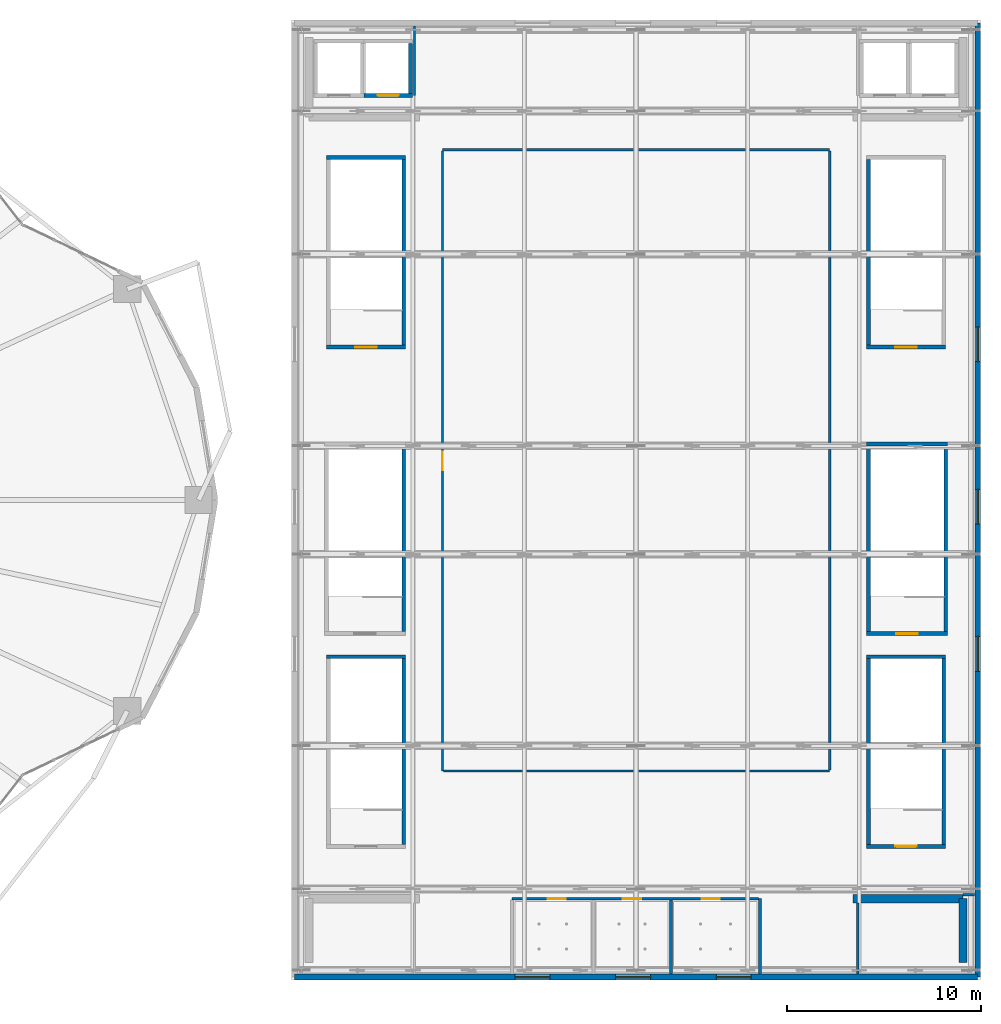
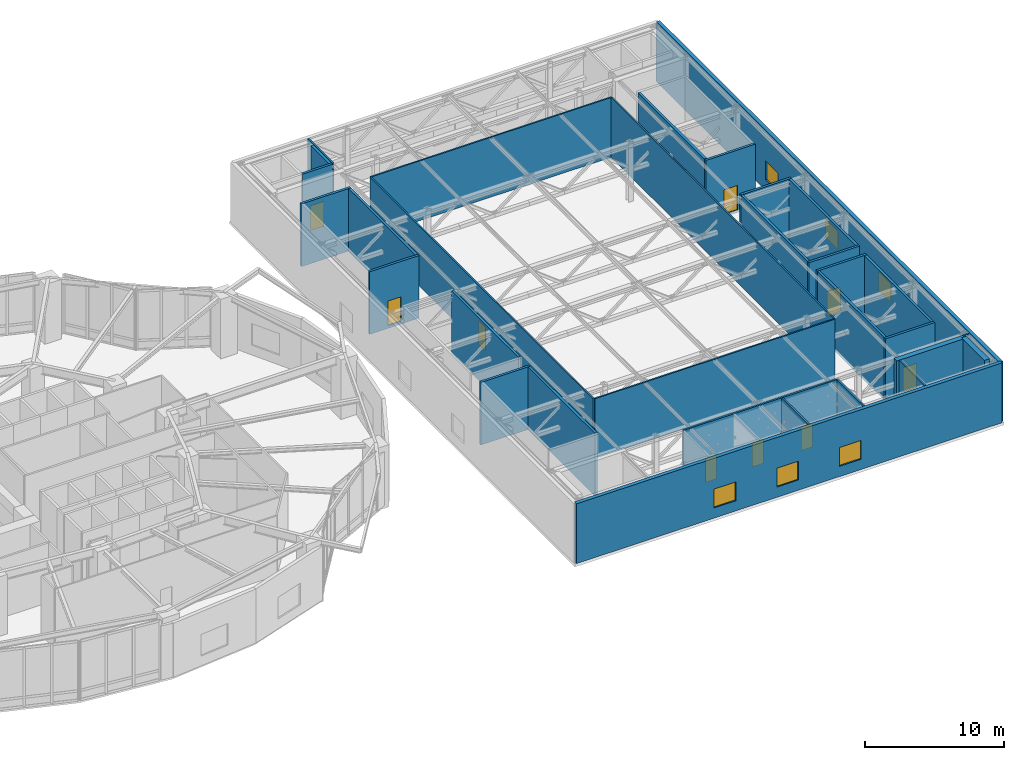
# One storey, part 25 of 29: 32 walls, 9 doors, 6 windows, 15 openings.
"""IFC4 building model written with IfcOpenShell, lengths in metres."""

from ifc_helpers import new_model, si_unit, direction, frame, frame_2d, origin, place, context, subcontext, project, spatial, rectangle, extrude, material, layer, layer_set, type_object, element, fill, save


model = new_model("IFC4")

# Units and contexts
model_context = context("Model", 3, precision=1e-05, world=origin(), true_north=direction((0.0, 1.0)))
body_context = subcontext(model_context, "Body", "Model", "MODEL_VIEW")
ifc_project = project(units=[si_unit("LENGTHUNIT", "METRE"), si_unit("AREAUNIT", "SQUARE_METRE"), si_unit("VOLUMEUNIT", "CUBIC_METRE"), si_unit("PLANEANGLEUNIT", "RADIAN"), si_unit("MASSUNIT", "GRAM", prefix="KILO")], contexts=[model_context])

# Site, building, storey
site_placement = place(None, origin())
site = spatial("IfcSite", under=ifc_project, at=site_placement, CompositionType="ELEMENT")
building_placement = place(site_placement, origin())
building = spatial("IfcBuilding", under=site, at=building_placement, Name="Kolvaren Gate Tower and Convention Centre", CompositionType="ELEMENT")
storey_placement = place(building_placement, frame((0.0, 0.0, 21.0)))
storey = spatial("IfcBuildingStorey", under=building, at=storey_placement, Name="L04", CompositionType="ELEMENT", Elevation=21.0)

# Walls
ifc_material_1 = material(Name="Fire-Rated Acoustic Gypsum Stud Partition", Category="gypsum")
ifc_layer_1 = layer(ifc_material_1, 0.1201171875)
ifc_layer_set_1 = layer_set([ifc_layer_1], Name="Fire-Rated Acoustic Gypsum Stud Partition")
wall_type_1 = type_object("IfcWallType", Name="ARCH-WL-PART-120", PredefinedType="PARTITIONING", material=ifc_layer_set_1)
wall_1_placement = place(storey_placement, frame((96.89990234375, 6.60009765625, 0.0), z_axis=(0.0, 0.0, 1.0), x_axis=(1.0, 0.0, 0.0)))
element("IfcWall", 1, at=wall_1_placement, inside=storey, type_object=wall_type_1, Name="Interior Partition WL-L04-INT-046", PredefinedType="PARTITIONING", context=body_context, shape_type="SweptSolid", body=[
    extrude(rectangle(XDim=0.59814453125, YDim=0.1201171875, at=frame_2d((0.299072265625, 0.0))), origin(), (0.0, 0.0, 1.0), 5.25),
])
wall_2_placement = place(storey_placement, frame((68.550048828125, 47.89990234375, 0.0), z_axis=(0.0, 0.0, 1.0), x_axis=(0.0, 1.0, 0.0)))
element("IfcWall", 2, at=wall_2_placement, inside=storey, type_object=wall_type_1, Name="Interior Partition WL-L04-INT-048", PredefinedType="PARTITIONING", context=body_context, shape_type="SweptSolid", body=[
    extrude(rectangle(XDim=3.59814453125, YDim=0.1201171875, at=frame_2d((1.799072265625, 0.0))), origin(), (0.0, 0.0, 1.0), 5.25),
])
wall_3_placement = place(storey_placement, frame((91.449951171875, 2.501953125, 0.0), z_axis=(0.0, 0.0, 1.0), x_axis=(0.0, 1.0, 0.0)))
element("IfcWall", 3, at=wall_3_placement, inside=storey, type_object=wall_type_1, Name="Interior Partition WL-L04-INT-049", PredefinedType="PARTITIONING", context=body_context, shape_type="SweptSolid", body=[
    extrude(rectangle(XDim=3.68603515625, YDim=0.1201171875, at=frame_2d((1.843017578125, 0.0))), origin(), (0.0, 0.0, 1.0), 5.25),
])
wall_4_placement = place(storey_placement, frame((70.0, 45.10009765625, 0.0), z_axis=(0.0, 0.0, 1.0), x_axis=(1.0, 0.0, 0.0)))
element("IfcWall", 4, at=wall_4_placement, inside=storey, type_object=wall_type_1, Name="Interior Partition WL-L04-INT-054", PredefinedType="PARTITIONING", context=body_context, shape_type="SweptSolid", body=[
    extrude(rectangle(XDim=20.0, YDim=0.1201171875, at=frame_2d((10.0, 0.0))), origin(), (0.0, 0.0, 1.0), 5.25),
])

# Wall, opening, door
wall_5_placement = place(storey_placement, frame((70.0, 13.0, 0.0), z_axis=(0.0, 0.0, 1.0), x_axis=(0.0, 1.0, 0.0)))
wall_5 = element("IfcWall", 5, at=wall_5_placement, inside=storey, type_object=wall_type_1, Name="Interior Partition WL-L04-INT-055", PredefinedType="PARTITIONING", context=body_context, shape_type="SweptSolid", body=[
    extrude(rectangle(XDim=32.0380859375, YDim=0.1201171875, at=frame_2d((16.01904296875, 0.0))), origin(), (0.0, 0.0, 1.0), 5.25),
])
opening_1_placement = place(wall_5_placement, frame((15.5439453125, 0.0, 0.0)))
opening_1 = element("IfcOpeningElement", 6, at=opening_1_placement, cuts=wall_5, Name="Opening DR-01", PredefinedType="OPENING", context=body_context, shape_type="SweptSolid", body=[
    extrude(rectangle(XDim=0.949951171875, YDim=2.10009765625, at=frame_2d((0.47509765625, 1.050048828125))), frame((0.0, 0.070068359375, 0.0), z_axis=(0.0, -1.0, 0.0), x_axis=(1.0, 0.0, 0.0)), (0.0, 0.0, 1.0), 0.14013671875),
])
ifc_material_2 = material(Name="Painted Architectural Steelwork ASTM A500 Grade C 345 MPa", Category="steel")
door_type_1 = type_object("IfcDoorType", Name="ARCH-DR-RISER-950", OperationType="SINGLE_SWING_RIGHT", PredefinedType="DOOR", material=ifc_material_2)
door_1_placement = place(opening_1_placement, origin())
door_1 = element("IfcDoor", 7, at=door_1_placement, inside=storey, type_object=door_type_1, Name="International Plenary Congress Theatre Door", OperationType="SINGLE_SWING_RIGHT", OverallHeight=2.10009765625, OverallWidth=0.949951171875, PredefinedType="DOOR", context=body_context, shape_type="SweptSolid", body=[
    extrude(rectangle(XDim=0.949951171875, YDim=2.10009765625, at=frame_2d((0.47509765625, 1.050048828125))), frame((0.0, 0.02490234375, 0.0), z_axis=(0.0, -1.0, 0.0), x_axis=(1.0, 0.0, 0.0)), (0.0, 0.0, 1.0), 0.050048828125),
])
fill(opening_1, door_1)

# Walls
wall_6_placement = place(storey_placement, frame((70.06201171875, 13.0, 0.0), z_axis=(0.0, 0.0, 1.0), x_axis=(1.0, 0.0, 0.0)))
element("IfcWall", 8, at=wall_6_placement, inside=storey, type_object=wall_type_1, Name="Interior Partition WL-L04-INT-056", PredefinedType="PARTITIONING", context=body_context, shape_type="SweptSolid", body=[
    extrude(rectangle(XDim=19.93798828125, YDim=0.1201171875, at=frame_2d((9.968994140625, 0.0))), origin(), (0.0, 0.0, 1.0), 5.25),
])
wall_7_placement = place(storey_placement, frame((90.0, 13.06201171875, 0.0), z_axis=(0.0, 0.0, 1.0), x_axis=(0.0, 1.0, 0.0)))
element("IfcWall", 9, at=wall_7_placement, inside=storey, type_object=wall_type_1, Name="Interior Partition WL-L04-INT-057", PredefinedType="PARTITIONING", context=body_context, shape_type="SweptSolid", body=[
    extrude(rectangle(XDim=31.97607421875, YDim=0.1201171875, at=frame_2d((15.988037109375, 0.0))), origin(), (0.0, 0.0, 1.0), 5.25),
])

# Wall, opening, door
ifc_material_3 = material(Name="Autoclaved Aerated Masonry Blockwork Class 4 (4.0 MPa)", Category="masonry")
ifc_layer_2 = layer(ifc_material_3, 0.199951171875)
ifc_layer_set_2 = layer_set([ifc_layer_2], Name="Autoclaved Aerated Masonry Blockwork Class 4 (4.0 MPa)")
wall_type_2 = type_object("IfcWallType", Name="ARCH-WL-SHAFT-200", PredefinedType="SOLIDWALL", material=ifc_layer_set_2)
wall_8_placement = place(storey_placement, frame((65.949951171875, 47.89990234375, 0.0), z_axis=(0.0, 0.0, 1.0), x_axis=(1.0, 0.0, 0.0)))
wall_8 = element("IfcWall", 10, at=wall_8_placement, inside=storey, type_object=wall_type_2, Name="Elevator CL-02 L04 Fire Shaft Wall S", PredefinedType="SOLIDWALL", context=body_context, shape_type="SweptSolid", body=[
    extrude(rectangle(XDim=2.5, YDim=0.199951171875, at=frame_2d((1.25, 0.0))), origin(), (0.0, 0.0, 1.0), 5.25),
])
opening_2_placement = place(wall_8_placement, frame((0.699951171875, 0.0, 0.0)))
opening_2 = element("IfcOpeningElement", 11, at=opening_2_placement, cuts=wall_8, Name="Opening LD", PredefinedType="OPENING", context=body_context, shape_type="SweptSolid", body=[
    extrude(rectangle(XDim=1.10009765625, YDim=2.199951171875, at=frame_2d((0.550048828125, 1.10009765625))), frame((0.0, 0.10986328125, 0.0), z_axis=(0.0, -1.0, 0.0), x_axis=(1.0, 0.0, 0.0)), (0.0, 0.0, 1.0), 0.219970703125),
])
ifc_material_4 = material(Name="Brushed Stainless Steel Grade 316L", Category="steel")
door_type_2 = type_object("IfcDoorType", Name="ARCH-DR-LIFT-1100", OperationType="SLIDING_TO_LEFT", PredefinedType="DOOR", material=ifc_material_4)
door_2_placement = place(opening_2_placement, origin())
door_2 = element("IfcDoor", 12, at=door_2_placement, inside=storey, type_object=door_type_2, Name="Elevator CL-02 L04 Sliding Landing Door", OperationType="SLIDING_TO_LEFT", OverallHeight=2.199951171875, OverallWidth=1.10009765625, PredefinedType="DOOR", context=body_context, shape_type="SweptSolid", body=[
    extrude(rectangle(XDim=1.10009765625, YDim=2.199951171875, at=frame_2d((0.550048828125, 1.10009765625))), frame((0.0, 0.02490234375, 0.0), z_axis=(0.0, -1.0, 0.0), x_axis=(1.0, 0.0, 0.0)), (0.0, 0.0, 1.0), 0.050048828125),
])
fill(opening_2, door_2)

# Wall
wall_9_placement = place(storey_placement, frame((68.35009765625, 48.010009765625, 0.0), z_axis=(0.0, 0.0, 1.0), x_axis=(0.0, 1.0, 0.0)))
element("IfcWall", 13, at=wall_9_placement, inside=storey, type_object=wall_type_2, Name="Elevator CL-02 L04 Fire Shaft Wall E", PredefinedType="SOLIDWALL", context=body_context, shape_type="SweptSolid", body=[
    extrude(rectangle(XDim=2.580078125, YDim=0.199951171875, at=frame_2d((1.2900390625, 0.0))), origin(), (0.0, 0.0, 1.0), 5.25),
])

# Wall, openings, windows
ifc_material_5 = material(Name="Piedmont Cream Honed Limestone Cladding", Category="masonry")
ifc_layer_3 = layer(ifc_material_5, 0.300048828125)
ifc_layer_set_3 = layer_set([ifc_layer_3], Name="Piedmont Cream Honed Limestone Cladding")
wall_type_3 = type_object("IfcWallType", Name="ARCH-WL-STONE-300", PredefinedType="SOLIDWALL", material=ifc_layer_set_3)
wall_10_placement = place(storey_placement, frame((62.35009765625, 2.35009765625, 0.0), z_axis=(0.0, 0.0, 1.0), x_axis=(1.0, 0.0, 0.0)))
wall_10 = element("IfcWall", 14, at=wall_10_placement, inside=storey, type_object=wall_type_3, Name="Convention Centre L04 S Stone Facade Wall", PredefinedType="SOLIDWALL", context=body_context, shape_type="SweptSolid", body=[
    extrude(rectangle(XDim=35.2998046875, YDim=0.300048828125, at=frame_2d((17.64990234375, 0.0))), origin(), (0.0, 0.0, 1.0), 5.25),
])
opening_3_placement = place(wall_10_placement, frame((11.39990234375, 0.0, 0.89990234375)))
opening_3 = element("IfcOpeningElement", 15, at=opening_3_placement, cuts=wall_10, Name="Opening W-05", PredefinedType="OPENING", context=body_context, shape_type="SweptSolid", body=[
    extrude(rectangle(XDim=1.800048828125, YDim=1.64990234375, at=frame_2d((0.89990234375, 0.824951171875))), frame((0.0, 0.159912109375, 0.0), z_axis=(0.0, -1.0, 0.0), x_axis=(1.0, 0.0, 0.0)), (0.0, 0.0, 1.0), 0.320068359375),
])
opening_4_placement = place(wall_10_placement, frame((16.60009765625, 0.0, 0.89990234375)))
opening_4 = element("IfcOpeningElement", 16, at=opening_4_placement, cuts=wall_10, Name="Opening W-05", PredefinedType="OPENING", context=body_context, shape_type="SweptSolid", body=[
    extrude(rectangle(XDim=1.800048828125, YDim=1.64990234375, at=frame_2d((0.89990234375, 0.824951171875))), frame((0.0, 0.159912109375, 0.0), z_axis=(0.0, -1.0, 0.0), x_axis=(1.0, 0.0, 0.0)), (0.0, 0.0, 1.0), 0.320068359375),
])
opening_5_placement = place(wall_10_placement, frame((21.800048828125, 0.0, 0.89990234375)))
opening_5 = element("IfcOpeningElement", 17, at=opening_5_placement, cuts=wall_10, Name="Opening W-05", PredefinedType="OPENING", context=body_context, shape_type="SweptSolid", body=[
    extrude(rectangle(XDim=1.800048828125, YDim=1.64990234375, at=frame_2d((0.89990234375, 0.824951171875))), frame((0.0, 0.159912109375, 0.0), z_axis=(0.0, -1.0, 0.0), x_axis=(1.0, 0.0, 0.0)), (0.0, 0.0, 1.0), 0.320068359375),
])
ifc_material_6 = material(Name="Low-E Triple Insulated Glazing Unit 44 mm", Category="glass")
window_type = type_object("IfcWindowType", Name="ARCH-WN-CONV-1800", PartitioningType="SINGLE_PANEL", PredefinedType="WINDOW", material=ifc_material_6)
window_1_placement = place(opening_3_placement, origin())
window_1 = element("IfcWindow", 18, at=window_1_placement, inside=storey, type_object=window_type, Name="Convention L04 S Clerestory Window CW-1", OverallHeight=1.64990234375, OverallWidth=1.800048828125, PartitioningType="SINGLE_PANEL", PredefinedType="WINDOW", context=body_context, shape_type="SweptSolid", body=[
    extrude(rectangle(XDim=1.800048828125, YDim=1.64990234375, at=frame_2d((0.89990234375, 0.824951171875))), frame((0.0, 0.030029296875, 0.0), z_axis=(0.0, -1.0, 0.0), x_axis=(1.0, 0.0, 0.0)), (0.0, 0.0, 1.0), 0.06005859375),
])
fill(opening_3, window_1)
window_2_placement = place(opening_4_placement, origin())
window_2 = element("IfcWindow", 19, at=window_2_placement, inside=storey, type_object=window_type, Name="Convention L04 S Clerestory Window CW-2", OverallHeight=1.64990234375, OverallWidth=1.800048828125, PartitioningType="SINGLE_PANEL", PredefinedType="WINDOW", context=body_context, shape_type="SweptSolid", body=[
    extrude(rectangle(XDim=1.800048828125, YDim=1.64990234375, at=frame_2d((0.89990234375, 0.824951171875))), frame((0.0, 0.030029296875, 0.0), z_axis=(0.0, -1.0, 0.0), x_axis=(1.0, 0.0, 0.0)), (0.0, 0.0, 1.0), 0.06005859375),
])
fill(opening_4, window_2)
window_3_placement = place(opening_5_placement, origin())
window_3 = element("IfcWindow", 20, at=window_3_placement, inside=storey, type_object=window_type, Name="Convention L04 S Clerestory Window CW-3", OverallHeight=1.64990234375, OverallWidth=1.800048828125, PartitioningType="SINGLE_PANEL", PredefinedType="WINDOW", context=body_context, shape_type="SweptSolid", body=[
    extrude(rectangle(XDim=1.800048828125, YDim=1.64990234375, at=frame_2d((0.89990234375, 0.824951171875))), frame((0.0, 0.030029296875, 0.0), z_axis=(0.0, -1.0, 0.0), x_axis=(1.0, 0.0, 0.0)), (0.0, 0.0, 1.0), 0.06005859375),
])
fill(opening_5, window_3)

wall_11_placement = place(storey_placement, frame((97.64990234375, 2.35009765625, 0.0), z_axis=(0.0, 0.0, 1.0), x_axis=(0.0, 1.0, 0.0)))
wall_11 = element("IfcWall", 21, at=wall_11_placement, inside=storey, type_object=wall_type_3, Name="Convention Centre L04 E Stone Facade Wall", PredefinedType="SOLIDWALL", context=body_context, shape_type="SweptSolid", body=[
    extrude(rectangle(XDim=49.2998046875, YDim=0.300048828125, at=frame_2d((24.64990234375, 0.0))), origin(), (0.0, 0.0, 1.0), 5.25),
])
opening_6_placement = place(wall_11_placement, frame((15.800048828125, 0.0, 0.89990234375)))
opening_6 = element("IfcOpeningElement", 22, at=opening_6_placement, cuts=wall_11, Name="Opening W-05", PredefinedType="OPENING", context=body_context, shape_type="SweptSolid", body=[
    extrude(rectangle(XDim=1.800048828125, YDim=1.64990234375, at=frame_2d((0.89990234375, 0.824951171875))), frame((0.0, 0.159912109375, 0.0), z_axis=(0.0, -1.0, 0.0), x_axis=(1.0, 0.0, 0.0)), (0.0, 0.0, 1.0), 0.320068359375),
])
opening_7_placement = place(wall_11_placement, frame((23.39990234375, 0.0, 0.89990234375)))
opening_7 = element("IfcOpeningElement", 23, at=opening_7_placement, cuts=wall_11, Name="Opening W-05", PredefinedType="OPENING", context=body_context, shape_type="SweptSolid", body=[
    extrude(rectangle(XDim=1.800048828125, YDim=1.64990234375, at=frame_2d((0.89990234375, 0.824951171875))), frame((0.0, 0.159912109375, 0.0), z_axis=(0.0, -1.0, 0.0), x_axis=(1.0, 0.0, 0.0)), (0.0, 0.0, 1.0), 0.320068359375),
])
opening_8_placement = place(wall_11_placement, frame((31.800048828125, 0.0, 0.89990234375)))
opening_8 = element("IfcOpeningElement", 24, at=opening_8_placement, cuts=wall_11, Name="Opening W-05", PredefinedType="OPENING", context=body_context, shape_type="SweptSolid", body=[
    extrude(rectangle(XDim=1.800048828125, YDim=1.64990234375, at=frame_2d((0.89990234375, 0.824951171875))), frame((0.0, 0.159912109375, 0.0), z_axis=(0.0, -1.0, 0.0), x_axis=(1.0, 0.0, 0.0)), (0.0, 0.0, 1.0), 0.320068359375),
])
window_4_placement = place(opening_6_placement, origin())
window_4 = element("IfcWindow", 25, at=window_4_placement, inside=storey, type_object=window_type, Name="Convention L04 E Clerestory Window CW-1", OverallHeight=1.64990234375, OverallWidth=1.800048828125, PartitioningType="SINGLE_PANEL", PredefinedType="WINDOW", context=body_context, shape_type="SweptSolid", body=[
    extrude(rectangle(XDim=1.800048828125, YDim=1.64990234375, at=frame_2d((0.89990234375, 0.824951171875))), frame((0.0, 0.030029296875, 0.0), z_axis=(0.0, -1.0, 0.0), x_axis=(1.0, 0.0, 0.0)), (0.0, 0.0, 1.0), 0.06005859375),
])
fill(opening_6, window_4)
window_5_placement = place(opening_7_placement, origin())
window_5 = element("IfcWindow", 26, at=window_5_placement, inside=storey, type_object=window_type, Name="Convention L04 E Clerestory Window CW-2", OverallHeight=1.64990234375, OverallWidth=1.800048828125, PartitioningType="SINGLE_PANEL", PredefinedType="WINDOW", context=body_context, shape_type="SweptSolid", body=[
    extrude(rectangle(XDim=1.800048828125, YDim=1.64990234375, at=frame_2d((0.89990234375, 0.824951171875))), frame((0.0, 0.030029296875, 0.0), z_axis=(0.0, -1.0, 0.0), x_axis=(1.0, 0.0, 0.0)), (0.0, 0.0, 1.0), 0.06005859375),
])
fill(opening_7, window_5)
window_6_placement = place(opening_8_placement, origin())
window_6 = element("IfcWindow", 27, at=window_6_placement, inside=storey, type_object=window_type, Name="Convention L04 E Clerestory Window CW-3", OverallHeight=1.64990234375, OverallWidth=1.800048828125, PartitioningType="SINGLE_PANEL", PredefinedType="WINDOW", context=body_context, shape_type="SweptSolid", body=[
    extrude(rectangle(XDim=1.800048828125, YDim=1.64990234375, at=frame_2d((0.89990234375, 0.824951171875))), frame((0.0, 0.030029296875, 0.0), z_axis=(0.0, -1.0, 0.0), x_axis=(1.0, 0.0, 0.0)), (0.0, 0.0, 1.0), 0.06005859375),
])
fill(opening_8, window_6)

# Wall
ifc_material_7 = material(Name="Moisture-Resistant Cement-Board Acoustic Partition", Category="gypsum")
ifc_layer_4 = layer(ifc_material_7, 0.14990234375)
ifc_layer_set_4 = layer_set([ifc_layer_4], Name="Moisture-Resistant Cement-Board Acoustic Partition")
wall_type_4 = type_object("IfcWallType", Name="ARCH-WL-WET-150", PredefinedType="PARTITIONING", material=ifc_layer_set_4)
wall_12_placement = place(storey_placement, frame((86.39990234375, 2.501953125, 0.0), z_axis=(0.0, 0.0, 1.0), x_axis=(0.0, 1.0, 0.0)))
element("IfcWall", 28, at=wall_12_placement, inside=storey, type_object=wall_type_4, Name="Interior Partition WL-L04-INT-051", PredefinedType="PARTITIONING", context=body_context, shape_type="SweptSolid", body=[
    extrude(rectangle(XDim=3.89794921875, YDim=0.14990234375, at=frame_2d((1.948974609375, 0.0))), origin(), (0.0, 0.0, 1.0), 5.25),
])

# Wall, openings, doors
wall_13_placement = place(storey_placement, frame((73.60009765625, 6.39990234375, 0.0), z_axis=(0.0, 0.0, 1.0), x_axis=(1.0, 0.0, 0.0)))
wall_13 = element("IfcWall", 29, at=wall_13_placement, inside=storey, type_object=wall_type_4, Name="Interior Partition WL-L04-INT-052", PredefinedType="PARTITIONING", context=body_context, shape_type="SweptSolid", body=[
    extrude(rectangle(XDim=12.722900390625, YDim=0.14990234375, at=frame_2d((6.361328125, 0.0))), origin(), (0.0, 0.0, 1.0), 5.25),
])
opening_9_placement = place(wall_13_placement, frame((1.830078125, 0.0, 0.0)))
opening_9 = element("IfcOpeningElement", 30, at=opening_9_placement, cuts=wall_13, Name="Opening DR-01", PredefinedType="OPENING", context=body_context, shape_type="SweptSolid", body=[
    extrude(rectangle(XDim=0.949951171875, YDim=2.10009765625, at=frame_2d((0.47509765625, 1.050048828125))), frame((0.0, 0.0849609375, 0.0), z_axis=(0.0, -1.0, 0.0), x_axis=(1.0, 0.0, 0.0)), (0.0, 0.0, 1.0), 0.169921875),
])
opening_10_placement = place(wall_13_placement, frame((5.72509765625, 0.0, 0.0)))
opening_10 = element("IfcOpeningElement", 31, at=opening_10_placement, cuts=wall_13, Name="Opening DR-01", PredefinedType="OPENING", context=body_context, shape_type="SweptSolid", body=[
    extrude(rectangle(XDim=0.949951171875, YDim=2.10009765625, at=frame_2d((0.47509765625, 1.050048828125))), frame((0.0, 0.0849609375, 0.0), z_axis=(0.0, -1.0, 0.0), x_axis=(1.0, 0.0, 0.0)), (0.0, 0.0, 1.0), 0.169921875),
])
opening_11_placement = place(wall_13_placement, frame((9.781494140625, 0.0, 0.0)))
opening_11 = element("IfcOpeningElement", 32, at=opening_11_placement, cuts=wall_13, Name="Opening DR-01", PredefinedType="OPENING", context=body_context, shape_type="SweptSolid", body=[
    extrude(rectangle(XDim=0.949951171875, YDim=2.10009765625, at=frame_2d((0.47509765625, 1.050048828125))), frame((0.0, 0.0849609375, 0.0), z_axis=(0.0, -1.0, 0.0), x_axis=(1.0, 0.0, 0.0)), (0.0, 0.0, 1.0), 0.169921875),
])
door_3_placement = place(opening_9_placement, origin())
door_3 = element("IfcDoor", 33, at=door_3_placement, inside=storey, type_object=door_type_1, Name="Convention L04 Delegate Male Restroom Door", OperationType="SINGLE_SWING_LEFT", OverallHeight=2.10009765625, OverallWidth=0.949951171875, PredefinedType="DOOR", context=body_context, shape_type="SweptSolid", body=[
    extrude(rectangle(XDim=0.949951171875, YDim=2.10009765625, at=frame_2d((0.47509765625, 1.050048828125))), frame((0.0, 0.02490234375, 0.0), z_axis=(0.0, -1.0, 0.0), x_axis=(1.0, 0.0, 0.0)), (0.0, 0.0, 1.0), 0.050048828125),
])
fill(opening_9, door_3)
door_4_placement = place(opening_10_placement, origin())
door_4 = element("IfcDoor", 34, at=door_4_placement, inside=storey, type_object=door_type_1, Name="Convention L04 Accessible Restroom Door", OperationType="SINGLE_SWING_RIGHT", OverallHeight=2.10009765625, OverallWidth=0.949951171875, PredefinedType="DOOR", context=body_context, shape_type="SweptSolid", body=[
    extrude(rectangle(XDim=0.949951171875, YDim=2.10009765625, at=frame_2d((0.47509765625, 1.050048828125))), frame((0.0, 0.02490234375, 0.0), z_axis=(0.0, -1.0, 0.0), x_axis=(1.0, 0.0, 0.0)), (0.0, 0.0, 1.0), 0.050048828125),
])
fill(opening_10, door_4)
door_5_placement = place(opening_11_placement, origin())
door_5 = element("IfcDoor", 35, at=door_5_placement, inside=storey, type_object=door_type_1, Name="Convention L04 Delegate Female Restroom Door", OperationType="SINGLE_SWING_LEFT", OverallHeight=2.10009765625, OverallWidth=0.949951171875, PredefinedType="DOOR", context=body_context, shape_type="SweptSolid", body=[
    extrude(rectangle(XDim=0.949951171875, YDim=2.10009765625, at=frame_2d((0.47509765625, 1.050048828125))), frame((0.0, 0.02490234375, 0.0), z_axis=(0.0, -1.0, 0.0), x_axis=(1.0, 0.0, 0.0)), (0.0, 0.0, 1.0), 0.050048828125),
])
fill(opening_11, door_5)

# Walls
wall_14_placement = place(storey_placement, frame((81.800048828125, 2.501953125, 0.0), z_axis=(0.0, 0.0, 1.0), x_axis=(0.0, 1.0, 0.0)))
element("IfcWall", 36, at=wall_14_placement, inside=storey, type_object=wall_type_4, Name="Interior Partition WL-L04-INT-059", PredefinedType="PARTITIONING", context=body_context, shape_type="SweptSolid", body=[
    extrude(rectangle(XDim=3.821044921875, YDim=0.14990234375, at=frame_2d((1.91064453125, 0.0))), origin(), (0.0, 0.0, 1.0), 5.25),
])
ifc_material_8 = material(Name="Concrete C50/60", Category="concrete")
ifc_layer_5 = layer(ifc_material_8, 0.419921875)
ifc_layer_set_5 = layer_set([ifc_layer_5], Name="Concrete C50/60")
wall_type_5 = type_object("IfcWallType", Name="STR-WL-CONV-420", PredefinedType="SHEAR", material=ifc_layer_set_5)
wall_15_placement = place(storey_placement, frame((96.89990234375, 3.10009765625, -0.239990234375), z_axis=(0.0, 0.0, 1.0), x_axis=(0.0, 1.0, 0.0)))
element("IfcWall", 37, at=wall_15_placement, inside=storey, type_object=wall_type_5, Name="Convention L04 Shear Core Wall CCSE-E", PredefinedType="SHEAR", context=body_context, shape_type="SweptSolid", body=[
    extrude(rectangle(XDim=3.2998046875, YDim=0.419921875, at=frame_2d((1.64990234375, 0.0))), origin(), (0.0, 0.0, 1.0), 5.489990234375),
])
wall_16_placement = place(storey_placement, frame((91.199951171875, 6.39990234375, -0.239990234375), z_axis=(0.0, 0.0, 1.0), x_axis=(1.0, 0.0, 0.0)))
element("IfcWall", 38, at=wall_16_placement, inside=storey, type_object=wall_type_5, Name="Convention L04 Shear Core Wall CCSE-N", PredefinedType="SHEAR", context=body_context, shape_type="SweptSolid", body=[
    extrude(rectangle(XDim=5.699951171875, YDim=0.419921875, at=frame_2d((2.85009765625, 0.0))), origin(), (0.0, 0.0, 1.0), 5.489990234375),
])

# Wall, opening, door
ifc_layer_6 = layer(ifc_material_8, 0.199951171875)
ifc_layer_set_6 = layer_set([ifc_layer_6], Name="Concrete C50/60")
wall_type_6 = type_object("IfcWallType", Name="STR-WL-SHAFT-200", PredefinedType="SHEAR", material=ifc_layer_set_6)
wall_17_placement = place(storey_placement, frame((64.0, 34.89990234375, -0.239990234375), z_axis=(0.0, 0.0, 1.0), x_axis=(1.0, 0.0, 0.0)))
wall_17 = element("IfcWall", 39, at=wall_17_placement, inside=storey, type_object=wall_type_6, Name="Convention NW Exit Stair ST-C1 L04 Structural Shear Enclosure Wall NEAR", PredefinedType="SHEAR", context=body_context, shape_type="SweptSolid", body=[
    extrude(rectangle(XDim=4.10009765625, YDim=0.199951171875, at=frame_2d((2.050048828125, 0.0))), origin(), (0.0, 0.0, 1.0), 5.489990234375),
])
opening_12_placement = place(wall_17_placement, frame((1.5, 0.0, 0.239990234375)))
opening_12 = element("IfcOpeningElement", 40, at=opening_12_placement, cuts=wall_17, Name="Opening DS-01", PredefinedType="OPENING", context=body_context, shape_type="SweptSolid", body=[
    extrude(rectangle(XDim=1.10009765625, YDim=2.14990234375, at=frame_2d((0.550048828125, 1.074951171875))), frame((0.0, 0.10986328125, 0.0), z_axis=(0.0, -1.0, 0.0), x_axis=(1.0, 0.0, 0.0)), (0.0, 0.0, 1.0), 0.219970703125),
])
door_type_3 = type_object("IfcDoorType", Name="ARCH-DR-STAIR-1100", OperationType="SINGLE_SWING_LEFT", PredefinedType="DOOR", material=ifc_material_2)
door_6_placement = place(opening_12_placement, origin())
door_6 = element("IfcDoor", 41, at=door_6_placement, inside=storey, type_object=door_type_3, Name="Convention NW Exit Stair ST-C1 L04 Fire Exit Stair Door", OperationType="SINGLE_SWING_RIGHT", OverallHeight=2.14990234375, OverallWidth=1.10009765625, PredefinedType="DOOR", context=body_context, shape_type="SweptSolid", body=[
    extrude(rectangle(XDim=1.10009765625, YDim=2.14990234375, at=frame_2d((0.550048828125, 1.074951171875))), frame((0.0, 0.02490234375, 0.0), z_axis=(0.0, -1.0, 0.0), x_axis=(1.0, 0.0, 0.0)), (0.0, 0.0, 1.0), 0.050048828125),
])
fill(opening_12, door_6)

# Walls
wall_18_placement = place(storey_placement, frame((64.0, 44.699951171875, -0.239990234375), z_axis=(0.0, 0.0, 1.0), x_axis=(1.0, 0.0, 0.0)))
element("IfcWall", 42, at=wall_18_placement, inside=storey, type_object=wall_type_6, Name="Convention NW Exit Stair ST-C1 L04 Structural Shear Enclosure Wall FAR", PredefinedType="SHEAR", context=body_context, shape_type="SweptSolid", body=[
    extrude(rectangle(XDim=4.10009765625, YDim=0.199951171875, at=frame_2d((2.050048828125, 0.0))), origin(), (0.0, 0.0, 1.0), 5.489990234375),
])
wall_19_placement = place(storey_placement, frame((68.0, 35.001953125, -0.239990234375), z_axis=(0.0, 0.0, 1.0), x_axis=(0.0, 1.0, 0.0)))
element("IfcWall", 43, at=wall_19_placement, inside=storey, type_object=wall_type_6, Name="Convention NW Exit Stair ST-C1 L04 Structural Shear Enclosure Wall EAST", PredefinedType="SHEAR", context=body_context, shape_type="SweptSolid", body=[
    extrude(rectangle(XDim=9.595947265625, YDim=0.199951171875, at=frame_2d((4.7978515625, 0.0))), origin(), (0.0, 0.0, 1.0), 5.489990234375),
])
wall_20_placement = place(storey_placement, frame((64.0, 18.89990234375, -0.239990234375), z_axis=(0.0, 0.0, 1.0), x_axis=(1.0, 0.0, 0.0)))
element("IfcWall", 44, at=wall_20_placement, inside=storey, type_object=wall_type_6, Name="Convention SW Exit Stair ST-C2 L04 Structural Shear Enclosure Wall FAR", PredefinedType="SHEAR", context=body_context, shape_type="SweptSolid", body=[
    extrude(rectangle(XDim=4.10009765625, YDim=0.199951171875, at=frame_2d((2.050048828125, 0.0))), origin(), (0.0, 0.0, 1.0), 5.489990234375),
])
wall_21_placement = place(storey_placement, frame((68.0, 9.201904296875, -0.239990234375), z_axis=(0.0, 0.0, 1.0), x_axis=(0.0, 1.0, 0.0)))
element("IfcWall", 45, at=wall_21_placement, inside=storey, type_object=wall_type_6, Name="Convention SW Exit Stair ST-C2 L04 Structural Shear Enclosure Wall EAST", PredefinedType="SHEAR", context=body_context, shape_type="SweptSolid", body=[
    extrude(rectangle(XDim=9.59619140625, YDim=0.199951171875, at=frame_2d((4.798095703125, 0.0))), origin(), (0.0, 0.0, 1.0), 5.489990234375),
])

# Wall, opening, door
wall_22_placement = place(storey_placement, frame((91.89990234375, 34.89990234375, -0.239990234375), z_axis=(0.0, 0.0, 1.0), x_axis=(1.0, 0.0, 0.0)))
wall_22 = element("IfcWall", 46, at=wall_22_placement, inside=storey, type_object=wall_type_6, Name="Convention NE Exit Stair ST-C3 L04 Structural Shear Enclosure Wall NEAR", PredefinedType="SHEAR", context=body_context, shape_type="SweptSolid", body=[
    extrude(rectangle(XDim=4.10009765625, YDim=0.199951171875, at=frame_2d((2.050048828125, 0.0))), origin(), (0.0, 0.0, 1.0), 5.489990234375),
])
opening_13_placement = place(wall_22_placement, frame((1.5, 0.0, 0.239990234375)))
opening_13 = element("IfcOpeningElement", 47, at=opening_13_placement, cuts=wall_22, Name="Opening DS-01", PredefinedType="OPENING", context=body_context, shape_type="SweptSolid", body=[
    extrude(rectangle(XDim=1.10009765625, YDim=2.14990234375, at=frame_2d((0.550048828125, 1.074951171875))), frame((0.0, 0.10986328125, 0.0), z_axis=(0.0, -1.0, 0.0), x_axis=(1.0, 0.0, 0.0)), (0.0, 0.0, 1.0), 0.219970703125),
])
door_7_placement = place(opening_13_placement, origin())
door_7 = element("IfcDoor", 48, at=door_7_placement, inside=storey, type_object=door_type_3, Name="Convention NE Exit Stair ST-C3 L04 Fire Exit Stair Door", OperationType="SINGLE_SWING_RIGHT", OverallHeight=2.14990234375, OverallWidth=1.10009765625, PredefinedType="DOOR", context=body_context, shape_type="SweptSolid", body=[
    extrude(rectangle(XDim=1.10009765625, YDim=2.14990234375, at=frame_2d((0.550048828125, 1.074951171875))), frame((0.0, 0.02490234375, 0.0), z_axis=(0.0, -1.0, 0.0), x_axis=(1.0, 0.0, 0.0)), (0.0, 0.0, 1.0), 0.050048828125),
])
fill(opening_13, door_7)

# Wall
wall_23_placement = place(storey_placement, frame((92.0, 35.001953125, -0.239990234375), z_axis=(0.0, 0.0, 1.0), x_axis=(0.0, 1.0, 0.0)))
element("IfcWall", 49, at=wall_23_placement, inside=storey, type_object=wall_type_6, Name="Convention NE Exit Stair ST-C3 L04 Structural Shear Enclosure Wall WEST", PredefinedType="SHEAR", context=body_context, shape_type="SweptSolid", body=[
    extrude(rectangle(XDim=9.595947265625, YDim=0.199951171875, at=frame_2d((4.7978515625, 0.0))), origin(), (0.0, 0.0, 1.0), 5.489990234375),
])

# Wall, opening, door
wall_24_placement = place(storey_placement, frame((91.89990234375, 9.10009765625, -0.239990234375), z_axis=(0.0, 0.0, 1.0), x_axis=(1.0, 0.0, 0.0)))
wall_24 = element("IfcWall", 50, at=wall_24_placement, inside=storey, type_object=wall_type_6, Name="Convention SE Exit Stair ST-C4 L04 Structural Shear Enclosure Wall NEAR", PredefinedType="SHEAR", context=body_context, shape_type="SweptSolid", body=[
    extrude(rectangle(XDim=4.10009765625, YDim=0.199951171875, at=frame_2d((2.050048828125, 0.0))), origin(), (0.0, 0.0, 1.0), 5.489990234375),
])
opening_14_placement = place(wall_24_placement, frame((1.5, 0.0, 0.239990234375)))
opening_14 = element("IfcOpeningElement", 51, at=opening_14_placement, cuts=wall_24, Name="Opening DS-01", PredefinedType="OPENING", context=body_context, shape_type="SweptSolid", body=[
    extrude(rectangle(XDim=1.10009765625, YDim=2.14990234375, at=frame_2d((0.550048828125, 1.074951171875))), frame((0.0, 0.10986328125, 0.0), z_axis=(0.0, -1.0, 0.0), x_axis=(1.0, 0.0, 0.0)), (0.0, 0.0, 1.0), 0.219970703125),
])
door_8_placement = place(opening_14_placement, origin())
door_8 = element("IfcDoor", 52, at=door_8_placement, inside=storey, type_object=door_type_3, Name="Convention SE Exit Stair ST-C4 L04 Fire Exit Stair Door", OperationType="SINGLE_SWING_RIGHT", OverallHeight=2.14990234375, OverallWidth=1.10009765625, PredefinedType="DOOR", context=body_context, shape_type="SweptSolid", body=[
    extrude(rectangle(XDim=1.10009765625, YDim=2.14990234375, at=frame_2d((0.550048828125, 1.074951171875))), frame((0.0, 0.02490234375, 0.0), z_axis=(0.0, -1.0, 0.0), x_axis=(1.0, 0.0, 0.0)), (0.0, 0.0, 1.0), 0.050048828125),
])
fill(opening_14, door_8)

# Walls
wall_25_placement = place(storey_placement, frame((91.89990234375, 18.89990234375, -0.239990234375), z_axis=(0.0, 0.0, 1.0), x_axis=(1.0, 0.0, 0.0)))
element("IfcWall", 53, at=wall_25_placement, inside=storey, type_object=wall_type_6, Name="Convention SE Exit Stair ST-C4 L04 Structural Shear Enclosure Wall FAR", PredefinedType="SHEAR", context=body_context, shape_type="SweptSolid", body=[
    extrude(rectangle(XDim=4.10009765625, YDim=0.199951171875, at=frame_2d((2.050048828125, 0.0))), origin(), (0.0, 0.0, 1.0), 5.489990234375),
])
for number, where, z_axis, x_axis, name in (
    (54, (92.0, 9.201904296875, -0.239990234375), (0.0, 0.0, 1.0), (0.0, 1.0, 0.0), "Convention SE Exit Stair ST-C4 L04 Structural Shear Enclosure Wall WEST"),
    (55, (95.89990234375, 9.201904296875, -0.239990234375), (0.0, 0.0, 1.0), (0.0, 1.0, 0.0), "Convention SE Exit Stair ST-C4 L04 Structural Shear Enclosure Wall EAST"),
    (56, (68.0, 20.201904296875, -0.239990234375), (0.0, 0.0, 1.0), (0.0, 1.0, 0.0), "Convention West Assembly Stair ST-C5 L04 Structural Shear Enclosure Wall EAST"),
):
    element("IfcWall", number, at=place(storey_placement, frame(where, z_axis=z_axis, x_axis=x_axis)), inside=storey, type_object=wall_type_6, Name=name, PredefinedType="SHEAR", context=body_context, shape_type="SweptSolid", body=[
        extrude(rectangle(XDim=9.59619140625, YDim=0.199951171875, at=frame_2d((4.798095703125, 0.0))), origin(), (0.0, 0.0, 1.0), 5.489990234375),
    ])

# Wall, opening, door
wall_26_placement = place(storey_placement, frame((91.89990234375, 20.10009765625, -0.239990234375), z_axis=(0.0, 0.0, 1.0), x_axis=(1.0, 0.0, 0.0)))
wall_26 = element("IfcWall", 57, at=wall_26_placement, inside=storey, type_object=wall_type_6, Name="Convention East Assembly Stair ST-C6 L04 Structural Shear Enclosure Wall NEAR", PredefinedType="SHEAR", context=body_context, shape_type="SweptSolid", body=[
    extrude(rectangle(XDim=4.2001953125, YDim=0.199951171875, at=frame_2d((2.10009765625, 0.0))), origin(), (0.0, 0.0, 1.0), 5.489990234375),
])
opening_15_placement = place(wall_26_placement, frame((1.550048828125, 0.0, 0.239990234375)))
opening_15 = element("IfcOpeningElement", 58, at=opening_15_placement, cuts=wall_26, Name="Opening DS-01", PredefinedType="OPENING", context=body_context, shape_type="SweptSolid", body=[
    extrude(rectangle(XDim=1.10009765625, YDim=2.14990234375, at=frame_2d((0.550048828125, 1.074951171875))), frame((0.0, 0.10986328125, 0.0), z_axis=(0.0, -1.0, 0.0), x_axis=(1.0, 0.0, 0.0)), (0.0, 0.0, 1.0), 0.219970703125),
])
door_9_placement = place(opening_15_placement, origin())
door_9 = element("IfcDoor", 59, at=door_9_placement, inside=storey, type_object=door_type_3, Name="Convention East Assembly Stair ST-C6 L04 Fire Exit Stair Door", OperationType="SINGLE_SWING_RIGHT", OverallHeight=2.14990234375, OverallWidth=1.10009765625, PredefinedType="DOOR", context=body_context, shape_type="SweptSolid", body=[
    extrude(rectangle(XDim=1.10009765625, YDim=2.14990234375, at=frame_2d((0.550048828125, 1.074951171875))), frame((0.0, 0.02490234375, 0.0), z_axis=(0.0, -1.0, 0.0), x_axis=(1.0, 0.0, 0.0)), (0.0, 0.0, 1.0), 0.050048828125),
])
fill(opening_15, door_9)

# Walls
wall_27_placement = place(storey_placement, frame((91.89990234375, 29.89990234375, -0.239990234375), z_axis=(0.0, 0.0, 1.0), x_axis=(1.0, 0.0, 0.0)))
element("IfcWall", 60, at=wall_27_placement, inside=storey, type_object=wall_type_6, Name="Convention East Assembly Stair ST-C6 L04 Structural Shear Enclosure Wall FAR", PredefinedType="SHEAR", context=body_context, shape_type="SweptSolid", body=[
    extrude(rectangle(XDim=4.2001953125, YDim=0.199951171875, at=frame_2d((2.10009765625, 0.0))), origin(), (0.0, 0.0, 1.0), 5.489990234375),
])
for number, where, z_axis, x_axis, name in (
    (61, (92.0, 20.201904296875, -0.239990234375), (0.0, 0.0, 1.0), (0.0, 1.0, 0.0), "Convention East Assembly Stair ST-C6 L04 Structural Shear Enclosure Wall WEST"),
    (62, (96.0, 20.201904296875, -0.239990234375), (0.0, 0.0, 1.0), (0.0, 1.0, 0.0), "Convention East Assembly Stair ST-C6 L04 Structural Shear Enclosure Wall EAST"),
):
    element("IfcWall", number, at=place(storey_placement, frame(where, z_axis=z_axis, x_axis=x_axis)), inside=storey, type_object=wall_type_6, Name=name, PredefinedType="SHEAR", context=body_context, shape_type="SweptSolid", body=[
        extrude(rectangle(XDim=9.59619140625, YDim=0.199951171875, at=frame_2d((4.798095703125, 0.0))), origin(), (0.0, 0.0, 1.0), 5.489990234375),
    ])

save(model, "model.ifc")
